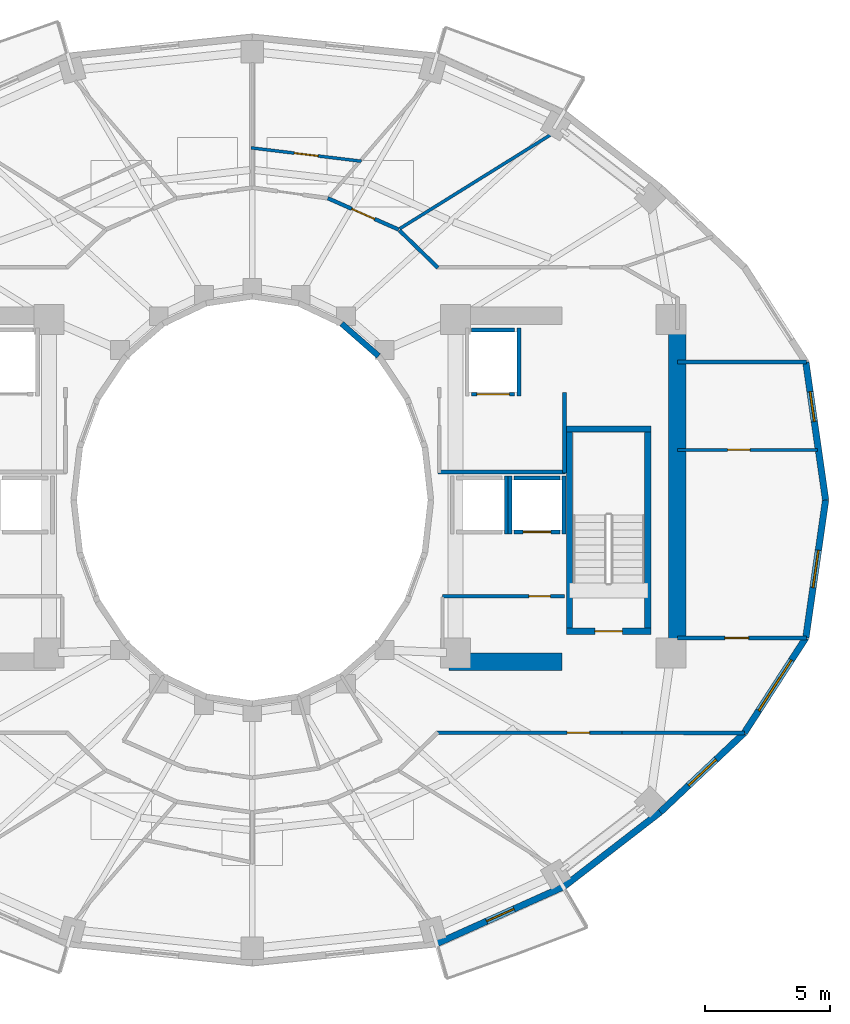
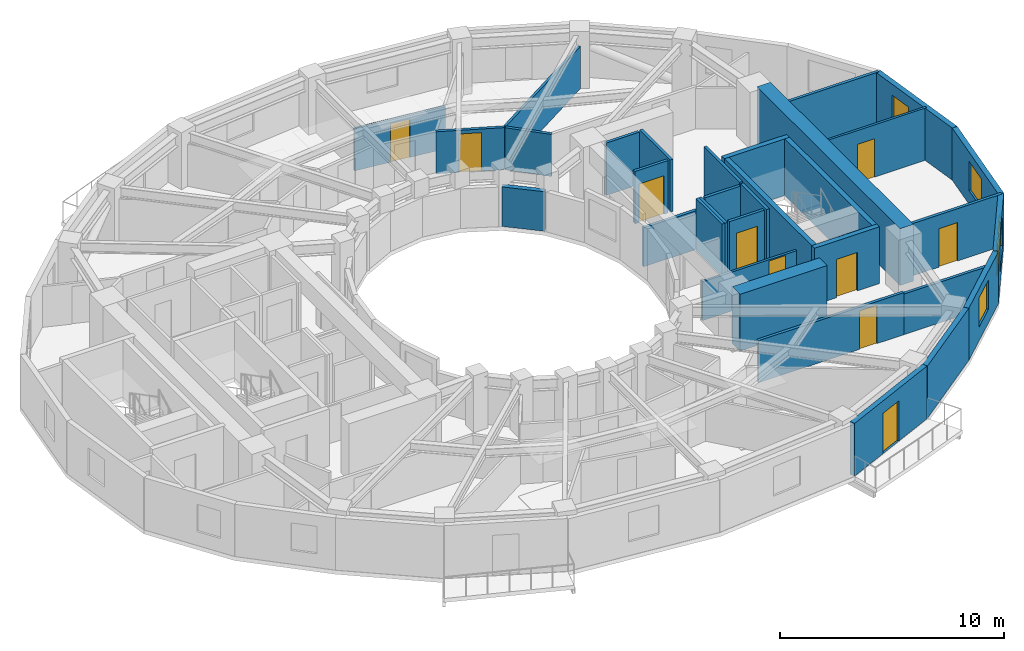
# One storey, part 6 of 10: 33 walls, 10 doors, 4 windows, 14 openings.
"""IFC4 building model written with IfcOpenShell, lengths in metres."""

from ifc_helpers import new_model, si_unit, direction, frame, frame_2d, origin, place, context, subcontext, project, spatial, rectangle, extrude, material, layer, layer_set, type_object, element, fill, save


model = new_model("IFC4")

# Units and contexts
model_context = context("Model", 3, precision=1e-05, world=origin(), true_north=direction((0.0, 1.0)))
body_context = subcontext(model_context, "Body", "Model", "MODEL_VIEW")
ifc_project = project(units=[si_unit("LENGTHUNIT", "METRE"), si_unit("AREAUNIT", "SQUARE_METRE"), si_unit("VOLUMEUNIT", "CUBIC_METRE"), si_unit("PLANEANGLEUNIT", "RADIAN"), si_unit("MASSUNIT", "GRAM", prefix="KILO")], contexts=[model_context])

# Site, building, storey
site_placement = place(None, origin())
site = spatial("IfcSite", under=ifc_project, at=site_placement, CompositionType="ELEMENT")
building_placement = place(site_placement, origin())
building = spatial("IfcBuilding", under=site, at=building_placement, Name="Solvane Sanctuary Tower", CompositionType="ELEMENT")
storey_placement = place(building_placement, frame((0.0, 0.0, 146.699951171875)))
storey = spatial("IfcBuildingStorey", under=building, at=storey_placement, Name="L44", CompositionType="ELEMENT", Elevation=146.699951171875)

# Walls
ifc_material_1 = material(Name="Concrete C60/75", Category="concrete")
ifc_layer_1 = layer(ifc_material_1, 0.699951171875, Name="Concrete C60/75")
ifc_layer_set_1 = layer_set([ifc_layer_1], Name="Concrete C60/75")
wall_type_1 = type_object("IfcWallType", Name="Wall W-CORE-700", PredefinedType="SHEAR", material=ifc_layer_set_1)
wall_1_placement = place(storey_placement, frame((48.949951171875, 17.050048828125, 0.0), z_axis=(0.0, 0.0, 1.0), x_axis=(0.0, 1.0, 0.0)))
element("IfcWall", 1, at=wall_1_placement, inside=storey, type_object=wall_type_1, Name="L44 Core Shear Wall EC-E", PredefinedType="SHEAR", context=body_context, shape_type="SweptSolid", body=[
    extrude(rectangle(XDim=12.800048828125, YDim=0.699951171875, at=frame_2d((6.39990234375, 0.0))), origin(), (0.0, 0.0, 1.0), 3.10009765625),
])
wall_2_placement = place(storey_placement, frame((39.85009765625, 16.550048828125, 0.0), z_axis=(0.0, 0.0, 1.0), x_axis=(1.0, 0.0, 0.0)))
element("IfcWall", 2, at=wall_2_placement, inside=storey, type_object=wall_type_1, Name="L44 Core Shear Wall EC-S", PredefinedType="SHEAR", context=body_context, shape_type="SweptSolid", body=[
    extrude(rectangle(XDim=4.5, YDim=0.699951171875, at=frame_2d((2.25, 0.0))), origin(), (0.0, 0.0, 1.0), 3.10009765625),
])
ifc_material_2 = material(Name="Acoustic Gypsum Partition Board")
ifc_layer_2 = layer(ifc_material_2, 0.14990234375, Name="Acoustic Gypsum Partition Board")
ifc_layer_set_2 = layer_set([ifc_layer_2], Name="Acoustic Gypsum Partition Board")
wall_type_2 = type_object("IfcWallType", Name="Wall W-CORR-150", PredefinedType="PARTITIONING", material=ifc_layer_set_2)
wall_3_placement = place(storey_placement, frame((39.39990234375, 24.1201171875, 0.0), z_axis=(0.0, 0.0, 1.0), x_axis=(1.0, 0.0, 0.0)))
element("IfcWall", 3, at=wall_3_placement, inside=storey, type_object=wall_type_2, Name="L44 East Firefighting Lobby South Wall", PredefinedType="PARTITIONING", context=body_context, shape_type="SweptSolid", body=[
    extrude(rectangle(XDim=5.080078125, YDim=0.14990234375, at=frame_2d((2.5400390625, 0.0))), origin(), (0.0, 0.0, 1.0), 2.1201171875),
])
wall_4_placement = place(storey_placement, frame((44.449951171875, 24.080078125, 0.0), z_axis=(0.0, 0.0, 1.0), x_axis=(0.0, 1.0, 0.0)))
element("IfcWall", 4, at=wall_4_placement, inside=storey, type_object=wall_type_2, Name="L44 East Firefighting Lobby East Wall", PredefinedType="PARTITIONING", context=body_context, shape_type="SweptSolid", body=[
    extrude(rectangle(XDim=3.199951171875, YDim=0.14990234375, at=frame_2d((1.60009765625, 0.0))), origin(), (0.0, 0.0, 1.0), 2.85498046875),
])

# Wall, opening, door
wall_5_placement = place(storey_placement, frame((48.949951171875, 17.4970703125, 0.0), z_axis=(0.0, 0.0, 1.0), x_axis=(1.0, 0.0, 0.0)))
wall_5 = element("IfcWall", 5, at=wall_5_placement, inside=storey, type_object=wall_type_2, Name="L44 East Shoulder South Wall", PredefinedType="PARTITIONING", context=body_context, shape_type="SweptSolid", body=[
    extrude(rectangle(XDim=5.14013671875, YDim=0.14990234375, at=frame_2d((2.570068359375, 0.0))), origin(), (0.0, 0.0, 1.0), 2.85498046875),
])
opening_1_placement = place(wall_5_placement, frame((1.888671875, 0.0, 0.0)))
opening_1 = element("IfcOpeningElement", 6, at=opening_1_placement, cuts=wall_5, Name="Opening D-L44-13", PredefinedType="OPENING", context=body_context, shape_type="SweptSolid", body=[
    extrude(rectangle(XDim=0.949951171875, YDim=2.10009765625, at=frame_2d((0.47509765625, 1.050048828125))), frame((0.0, 0.0849609375, 0.0), z_axis=(0.0, -1.0, 0.0), x_axis=(1.0, 0.0, 0.0)), (0.0, 0.0, 1.0), 0.169921875),
])
ifc_material_3 = material(Name="Engineered Tropical Hardwood", Category="wood")
door_type_1 = type_object("IfcDoorType", Name="Door D-ROOM-950", OperationType="NOTDEFINED", PredefinedType="DOOR", material=ifc_material_3)
door_1_placement = place(opening_1_placement, origin())
door_1 = element("IfcDoor", 7, at=door_1_placement, inside=storey, type_object=door_type_1, Name="L44 East Shoulder South Door", OperationType="SINGLE_SWING_RIGHT", OverallHeight=2.10009765625, OverallWidth=0.949951171875, PredefinedType="DOOR", context=body_context, shape_type="SweptSolid", body=[
    extrude(rectangle(XDim=0.949951171875, YDim=2.10009765625, at=frame_2d((0.47509765625, 1.050048828125))), frame((0.0, 0.02490234375, 0.0), z_axis=(0.0, -1.0, 0.0), x_axis=(1.0, 0.0, 0.0)), (0.0, 0.0, 1.0), 0.050048828125),
])
fill(opening_1, door_1)

# Walls
wall_6_placement = place(storey_placement, frame((48.949951171875, 28.5029296875, 0.0), z_axis=(0.0, 0.0, 1.0), x_axis=(1.0, 0.0, 0.0)))
element("IfcWall", 8, at=wall_6_placement, inside=storey, type_object=wall_type_2, Name="L44 East Shoulder North Wall", PredefinedType="PARTITIONING", context=body_context, shape_type="SweptSolid", body=[
    extrude(rectangle(XDim=5.14013671875, YDim=0.14990234375, at=frame_2d((2.570068359375, 0.0))), origin(), (0.0, 0.0, 1.0), 2.85498046875),
])
wall_7_placement = place(storey_placement, frame((37.867431640625, 33.748779296875, 0.0), z_axis=(0.0, 0.0, 1.0), x_axis=(0.717419568599, -0.696641344302, 0.0)))
element("IfcWall", 9, at=wall_7_placement, inside=storey, type_object=wall_type_2, Name="L44 NE Corner Throat Wall", PredefinedType="PARTITIONING", context=body_context, shape_type="SweptSolid", body=[
    extrude(rectangle(XDim=2.138427734375, YDim=0.14990234375, at=frame_2d((1.0693359375, 0.0))), origin(), (0.0, 0.0, 1.0), 2.299072265625),
])

# Wall, opening, door
wall_8_placement = place(storey_placement, frame((39.330078125, 13.719970703125, 0.0), z_axis=(0.0, 0.0, 1.0), x_axis=(1.0, 0.0, 0.0)))
wall_8 = element("IfcWall", 10, at=wall_8_placement, inside=storey, type_object=wall_type_2, Name="L44 SE Corner Corridor Wall", PredefinedType="PARTITIONING", context=body_context, shape_type="SweptSolid", body=[
    extrude(rectangle(XDim=7.52001953125, YDim=0.14990234375, at=frame_2d((3.760009765625, 0.0))), origin(), (0.0, 0.0, 1.0), 2.299072265625),
])
opening_2_placement = place(wall_8_placement, frame((5.219970703125, 0.0, 0.0)))
opening_2 = element("IfcOpeningElement", 11, at=opening_2_placement, cuts=wall_8, Name="Opening D-L44-22", PredefinedType="OPENING", context=body_context, shape_type="SweptSolid", body=[
    extrude(rectangle(XDim=0.89990234375, YDim=2.10009765625, at=frame_2d((0.449951171875, 1.050048828125))), frame((0.0, 0.0849609375, 0.0), z_axis=(0.0, -1.0, 0.0), x_axis=(1.0, 0.0, 0.0)), (0.0, 0.0, 1.0), 0.169921875),
])
door_type_2 = type_object("IfcDoorType", Name="Door D-WET-900", OperationType="NOTDEFINED", PredefinedType="DOOR", material=ifc_material_3)
door_2_placement = place(opening_2_placement, origin())
door_2 = element("IfcDoor", 12, at=door_2_placement, inside=storey, type_object=door_type_2, Name="L44 SE Corner Salon Door", OperationType="SINGLE_SWING_LEFT", OverallHeight=2.10009765625, OverallWidth=0.89990234375, PredefinedType="DOOR", context=body_context, shape_type="SweptSolid", body=[
    extrude(rectangle(XDim=0.89990234375, YDim=2.10009765625, at=frame_2d((0.449951171875, 1.050048828125))), frame((0.0, 0.02490234375, 0.0), z_axis=(0.0, -1.0, 0.0), x_axis=(1.0, 0.0, 0.0)), (0.0, 0.0, 1.0), 0.050048828125),
])
fill(opening_2, door_2)

# Wall
wall_9_placement = place(storey_placement, frame((46.75, 13.72021484375, 0.0), z_axis=(0.0, 0.0, 1.0), x_axis=(0.999997122315, -0.00239903348, 0.0)))
element("IfcWall", 13, at=wall_9_placement, inside=storey, type_object=wall_type_2, Name="L44 SE Corner Wing Wall", PredefinedType="PARTITIONING", context=body_context, shape_type="SweptSolid", body=[
    extrude(rectangle(XDim=4.884765625, YDim=0.14990234375, at=frame_2d((2.4423828125, 0.0))), origin(), (0.0, 0.0, 1.0), 2.219970703125),
])

# Wall, opening, door
wall_10_placement = place(storey_placement, frame((37.8349609375, 33.782958984375, 0.0), z_axis=(0.0, 0.0, 1.0), x_axis=(-0.91445214467, 0.404694051239, 0.0)))
wall_10 = element("IfcWall", 14, at=wall_10_placement, inside=storey, type_object=wall_type_2, Name="L44 Unit Corridor Wall N1", PredefinedType="PARTITIONING", context=body_context, shape_type="SweptSolid", body=[
    extrude(rectangle(XDim=3.090576171875, YDim=0.14990234375, at=frame_2d((1.54541015625, 0.0))), origin(), (0.0, 0.0, 1.0), 2.299072265625),
])
opening_3_placement = place(wall_10_placement, frame((1.04541015625, 0.0, 0.0)))
opening_3 = element("IfcOpeningElement", 15, at=opening_3_placement, cuts=wall_10, Name="Opening D-L44-25", PredefinedType="OPENING", context=body_context, shape_type="SweptSolid", body=[
    extrude(rectangle(XDim=1.0, YDim=2.10009765625, at=frame_2d((0.5, 1.050048828125))), frame((0.0, 0.0849609375, 0.0), z_axis=(0.0, -1.0, 0.0), x_axis=(1.0, 0.0, 0.0)), (0.0, 0.0, 1.0), 0.169921875),
])
door_type_3 = type_object("IfcDoorType", Name="Door D-UNIT", OperationType="NOTDEFINED", PredefinedType="DOOR", material=ifc_material_3)
door_3_placement = place(opening_3_placement, origin())
door_3 = element("IfcDoor", 16, at=door_3_placement, inside=storey, type_object=door_type_3, Name="L44 Unit Entrance Door N1", OperationType="SINGLE_SWING_RIGHT", OverallHeight=2.10009765625, OverallWidth=1.0, PredefinedType="DOOR", context=body_context, shape_type="SweptSolid", body=[
    extrude(rectangle(XDim=1.0, YDim=2.10009765625, at=frame_2d((0.5, 1.050048828125))), frame((0.0, 0.02490234375, 0.0), z_axis=(0.0, -1.0, 0.0), x_axis=(1.0, 0.0, 0.0)), (0.0, 0.0, 1.0), 0.050048828125),
])
fill(opening_3, door_3)

# Wall, opening, window
ifc_material_4 = material(Name="Precast concrete C40/50", Category="concrete")
ifc_layer_3 = layer(ifc_material_4, 0.260009765625, Name="Precast concrete C40/50")
ifc_layer_set_3 = layer_set([ifc_layer_3], Name="Precast concrete C40/50")
wall_type_3 = type_object("IfcWallType", Name="Wall W-EXT-250", PredefinedType="STANDARD", material=ifc_layer_set_3)
wall_11_placement = place(storey_placement, frame((54.860107421875, 23.0, 0.0), z_axis=(0.0, 0.0, 1.0), x_axis=(-0.142227632286, 0.989833976288, 0.0)))
wall_11 = element("IfcWall", 17, at=wall_11_placement, inside=storey, type_object=wall_type_3, Name="L44 Ceramic-Printed Facade Wall 00", PredefinedType="STANDARD", context=body_context, shape_type="SweptSolid", body=[
    extrude(rectangle(XDim=5.552978515625, YDim=0.260009765625, at=frame_2d((2.7763671875, 0.0))), origin(), (0.0, 0.0, 1.0), 2.85009765625),
])
opening_4_placement = place(wall_11_placement, frame((3.16162109375, 0.0, 0.75)))
opening_4 = element("IfcOpeningElement", 18, at=opening_4_placement, cuts=wall_11, Name="Opening WN-OPER-1200", PredefinedType="OPENING", context=body_context, shape_type="SweptSolid", body=[
    extrude(rectangle(XDim=1.199951171875, YDim=1.5, at=frame_2d((0.60009765625, 0.75))), frame((0.0, 0.139892578125, 0.0), z_axis=(0.0, -1.0, 0.0), x_axis=(1.0, 0.0, 0.0)), (0.0, 0.0, 1.0), 0.280029296875),
])
ifc_material_5 = material(Name="Dark Ceramic-Fritted Low-E Glass", Category="glass")
window_type_1 = type_object("IfcWindowType", Name="Window WN-OPER-1200", PartitioningType="SINGLE_PANEL", PredefinedType="WINDOW", material=ifc_material_5)
window_1_placement = place(opening_4_placement, origin())
window_1 = element("IfcWindow", 19, at=window_1_placement, inside=storey, type_object=window_type_1, Name="L44 Operable Facade Window 00", OverallHeight=1.5, OverallWidth=1.199951171875, PartitioningType="SINGLE_PANEL", PredefinedType="WINDOW", context=body_context, shape_type="SweptSolid", body=[
    extrude(rectangle(XDim=1.199951171875, YDim=1.5, at=frame_2d((0.60009765625, 0.75))), frame((0.0, 0.030029296875, 0.0), z_axis=(0.0, -1.0, 0.0), x_axis=(1.0, 0.0, 0.0)), (0.0, 0.0, 1.0), 0.06005859375),
])
fill(opening_4, window_1)

# Wall, opening, door
wall_12_placement = place(storey_placement, frame((39.365234375, 5.3154296875, 0.0), z_axis=(0.0, 0.0, 1.0), x_axis=(0.912353637112, 0.409403029847, 0.0)))
wall_12 = element("IfcWall", 20, at=wall_12_placement, inside=storey, type_object=wall_type_3, Name="L44 Balcony Facade Wall S2", PredefinedType="STANDARD", context=body_context, shape_type="SweptSolid", body=[
    extrude(rectangle(XDim=5.53271484375, YDim=0.260009765625, at=frame_2d((2.766357421875, 0.0))), origin(), (0.0, 0.0, 1.0), 2.880126953125),
])
opening_5_placement = place(wall_12_placement, frame((2.16650390625, 0.0, 0.0)))
opening_5 = element("IfcOpeningElement", 21, at=opening_5_placement, cuts=wall_12, Name="Opening D-L44-04", PredefinedType="OPENING", context=body_context, shape_type="SweptSolid", body=[
    extrude(rectangle(XDim=1.199951171875, YDim=2.199951171875, at=frame_2d((0.60009765625, 1.10009765625))), frame((0.0, 0.139892578125, 0.0), z_axis=(0.0, -1.0, 0.0), x_axis=(1.0, 0.0, 0.0)), (0.0, 0.0, 1.0), 0.280029296875),
])
ifc_material_6 = material(Name="Anodised Aluminium 6063-T6", Category="aluminium")
door_type_4 = type_object("IfcDoorType", Name="Door D-BALC-1200", OperationType="NOTDEFINED", PredefinedType="DOOR", material=ifc_material_6)
door_4_placement = place(opening_5_placement, origin())
door_4 = element("IfcDoor", 22, at=door_4_placement, inside=storey, type_object=door_type_4, Name="L44 Glazed Balcony Door S2", OperationType="SINGLE_SWING_LEFT", OverallHeight=2.199951171875, OverallWidth=1.199951171875, PredefinedType="DOOR", context=body_context, shape_type="SweptSolid", body=[
    extrude(rectangle(XDim=1.199951171875, YDim=2.199951171875, at=frame_2d((0.60009765625, 1.10009765625))), frame((0.0, 0.02490234375, 0.0), z_axis=(0.0, -1.0, 0.0), x_axis=(1.0, 0.0, 0.0)), (0.0, 0.0, 1.0), 0.050048828125),
])
fill(opening_5, door_4)

# Wall
wall_13_placement = place(storey_placement, frame((44.4130859375, 7.58056640625, 0.0), z_axis=(0.0, 0.0, 1.0), x_axis=(0.791460185804, 0.611220724687, 0.0)))
element("IfcWall", 23, at=wall_13_placement, inside=storey, type_object=wall_type_3, Name="L44 Ceramic-Printed Facade Wall 20", PredefinedType="STANDARD", context=body_context, shape_type="SweptSolid", body=[
    extrude(rectangle(XDim=4.872314453125, YDim=0.260009765625, at=frame_2d((2.43603515625, 0.0))), origin(), (0.0, 0.0, 1.0), 2.85009765625),
])

# Wall, opening, window
wall_14_placement = place(storey_placement, frame((48.269287109375, 10.55859375, 0.0), z_axis=(0.0, 0.0, 1.0), x_axis=(0.727667301037, 0.68593024354, 0.0)))
wall_14 = element("IfcWall", 24, at=wall_14_placement, inside=storey, type_object=wall_type_3, Name="L44 Ceramic-Printed Facade Wall 21", PredefinedType="STANDARD", context=body_context, shape_type="SweptSolid", body=[
    extrude(rectangle(XDim=4.603515625, YDim=0.260009765625, at=frame_2d((2.3017578125, 0.0))), origin(), (0.0, 0.0, 1.0), 2.85009765625),
])
opening_6_placement = place(wall_14_placement, frame((1.5517578125, 0.0, 0.75)))
opening_6 = element("IfcOpeningElement", 25, at=opening_6_placement, cuts=wall_14, Name="Opening WN-OPER-1500", PredefinedType="OPENING", context=body_context, shape_type="SweptSolid", body=[
    extrude(rectangle(XDim=1.5, YDim=1.60009765625, at=frame_2d((0.75, 0.800048828125))), frame((0.0, 0.139892578125, 0.0), z_axis=(0.0, -1.0, 0.0), x_axis=(1.0, 0.0, 0.0)), (0.0, 0.0, 1.0), 0.280029296875),
])
window_type_2 = type_object("IfcWindowType", Name="Window WN-OPER-1500", PartitioningType="SINGLE_PANEL", PredefinedType="WINDOW", material=ifc_material_5)
window_2_placement = place(opening_6_placement, origin())
window_2 = element("IfcWindow", 26, at=window_2_placement, inside=storey, type_object=window_type_2, Name="L44 Operable Facade Window 21", OverallHeight=1.60009765625, OverallWidth=1.5, PartitioningType="SINGLE_PANEL", PredefinedType="WINDOW", context=body_context, shape_type="SweptSolid", body=[
    extrude(rectangle(XDim=1.5, YDim=1.60009765625, at=frame_2d((0.75, 0.800048828125))), frame((0.0, 0.030029296875, 0.0), z_axis=(0.0, -1.0, 0.0), x_axis=(1.0, 0.0, 0.0)), (0.0, 0.0, 1.0), 0.06005859375),
])
fill(opening_6, window_2)

wall_15_placement = place(storey_placement, frame((51.619140625, 13.71630859375, 0.0), z_axis=(0.0, 0.0, 1.0), x_axis=(0.543358984534, 0.839500454989, 0.0)))
wall_15 = element("IfcWall", 27, at=wall_15_placement, inside=storey, type_object=wall_type_3, Name="L44 Ceramic-Printed Facade Wall 22", PredefinedType="STANDARD", context=body_context, shape_type="SweptSolid", body=[
    extrude(rectangle(XDim=4.51123046875, YDim=0.260009765625, at=frame_2d((2.255615234375, 0.0))), origin(), (0.0, 0.0, 1.0), 2.85009765625),
])
opening_7_placement = place(wall_15_placement, frame((1.0556640625, 0.0, 0.75)))
opening_7 = element("IfcOpeningElement", 28, at=opening_7_placement, cuts=wall_15, Name="Opening WN-RIB-2400", PredefinedType="OPENING", context=body_context, shape_type="SweptSolid", body=[
    extrude(rectangle(XDim=2.39990234375, YDim=1.699951171875, at=frame_2d((1.199951171875, 0.85009765625))), frame((0.0, 0.139892578125, 0.0), z_axis=(0.0, -1.0, 0.0), x_axis=(1.0, 0.0, 0.0)), (0.0, 0.0, 1.0), 0.280029296875),
])
window_type_3 = type_object("IfcWindowType", Name="Window WN-RIB-2400", PartitioningType="SINGLE_PANEL", PredefinedType="WINDOW", material=ifc_material_5)
window_3_placement = place(opening_7_placement, origin())
window_3 = element("IfcWindow", 29, at=window_3_placement, inside=storey, type_object=window_type_3, Name="L44 Operable Facade Window 22", OverallHeight=1.699951171875, OverallWidth=2.39990234375, PartitioningType="SINGLE_PANEL", PredefinedType="WINDOW", context=body_context, shape_type="SweptSolid", body=[
    extrude(rectangle(XDim=2.39990234375, YDim=1.699951171875, at=frame_2d((1.199951171875, 0.85009765625))), frame((0.0, 0.030029296875, 0.0), z_axis=(0.0, -1.0, 0.0), x_axis=(1.0, 0.0, 0.0)), (0.0, 0.0, 1.0), 0.06005859375),
])
fill(opening_7, window_3)

wall_16_placement = place(storey_placement, frame((54.0703125, 17.50341796875, 0.0), z_axis=(0.0, 0.0, 1.0), x_axis=(0.142227632286, 0.989833976288, 0.0)))
wall_16 = element("IfcWall", 30, at=wall_16_placement, inside=storey, type_object=wall_type_3, Name="L44 Ceramic-Printed Facade Wall 23", PredefinedType="STANDARD", context=body_context, shape_type="SweptSolid", body=[
    extrude(rectangle(XDim=5.552978515625, YDim=0.260009765625, at=frame_2d((2.7763671875, 0.0))), origin(), (0.0, 0.0, 1.0), 2.85009765625),
])
opening_8_placement = place(wall_16_placement, frame((2.026611328125, 0.0, 0.75)))
opening_8 = element("IfcOpeningElement", 31, at=opening_8_placement, cuts=wall_16, Name="Opening WN-OPER-1500", PredefinedType="OPENING", context=body_context, shape_type="SweptSolid", body=[
    extrude(rectangle(XDim=1.5, YDim=1.60009765625, at=frame_2d((0.75, 0.800048828125))), frame((0.0, 0.139892578125, 0.0), z_axis=(0.0, -1.0, 0.0), x_axis=(1.0, 0.0, 0.0)), (0.0, 0.0, 1.0), 0.280029296875),
])
window_4_placement = place(opening_8_placement, origin())
window_4 = element("IfcWindow", 32, at=window_4_placement, inside=storey, type_object=window_type_2, Name="L44 Operable Facade Window 23", OverallHeight=1.60009765625, OverallWidth=1.5, PartitioningType="SINGLE_PANEL", PredefinedType="WINDOW", context=body_context, shape_type="SweptSolid", body=[
    extrude(rectangle(XDim=1.5, YDim=1.60009765625, at=frame_2d((0.75, 0.800048828125))), frame((0.0, 0.030029296875, 0.0), z_axis=(0.0, -1.0, 0.0), x_axis=(1.0, 0.0, 0.0)), (0.0, 0.0, 1.0), 0.06005859375),
])
fill(opening_8, window_4)

# Wall
ifc_layer_4 = layer(ifc_material_4, 0.22998046875, Name="Precast concrete C40/50")
ifc_layer_set_4 = layer_set([ifc_layer_4], Name="Precast concrete C40/50")
wall_type_4 = type_object("IfcWallType", Name="Wall W-EXT-SP220", PredefinedType="STANDARD", material=ifc_layer_set_4)
wall_17_placement = place(storey_placement, frame((37.03466796875, 28.74169921875, 0.0), z_axis=(0.0, 0.0, 1.0), x_axis=(-0.752576694707, 0.658504607869, 0.0)))
element("IfcWall", 33, at=wall_17_placement, inside=storey, type_object=wall_type_4, Name="L44 Central Light-Well Wall 03", PredefinedType="STANDARD", context=body_context, shape_type="SweptSolid", body=[
    extrude(rectangle(XDim=1.95947265625, YDim=0.22998046875, at=frame_2d((0.979736328125, 0.0))), origin(), (0.0, 0.0, 1.0), 2.16015625),
])

# Wall, opening, door
ifc_layer_5 = layer(ifc_material_2, 0.1201171875, Name="Acoustic Gypsum Partition Board")
ifc_layer_set_5 = layer_set([ifc_layer_5], Name="Acoustic Gypsum Partition Board")
wall_type_5 = type_object("IfcWallType", Name="Wall W-MOV-100", PredefinedType="MOVABLE", material=ifc_layer_set_5)
wall_18_placement = place(storey_placement, frame((48.949951171875, 25.0, 0.0), z_axis=(0.0, 0.0, 1.0), x_axis=(1.0, 0.0, 0.0)))
wall_18 = element("IfcWall", 34, at=wall_18_placement, inside=storey, type_object=wall_type_5, Name="L44 East Suite Partition", PredefinedType="MOVABLE", context=body_context, shape_type="SweptSolid", body=[
    extrude(rectangle(XDim=5.5830078125, YDim=0.1201171875, at=frame_2d((2.79150390625, 0.0))), origin(), (0.0, 0.0, 1.0), 2.85498046875),
])
opening_9_placement = place(wall_18_placement, frame((2.0, 0.0, 0.0)))
opening_9 = element("IfcOpeningElement", 35, at=opening_9_placement, cuts=wall_18, Name="Opening D-L44-14", PredefinedType="OPENING", context=body_context, shape_type="SweptSolid", body=[
    extrude(rectangle(XDim=0.89990234375, YDim=2.10009765625, at=frame_2d((0.449951171875, 1.050048828125))), frame((0.0, 0.070068359375, 0.0), z_axis=(0.0, -1.0, 0.0), x_axis=(1.0, 0.0, 0.0)), (0.0, 0.0, 1.0), 0.14013671875),
])
door_5_placement = place(opening_9_placement, origin())
door_5 = element("IfcDoor", 36, at=door_5_placement, inside=storey, type_object=door_type_2, Name="L44 East Suite Internal Door", OperationType="SINGLE_SWING_LEFT", OverallHeight=2.10009765625, OverallWidth=0.89990234375, PredefinedType="DOOR", context=body_context, shape_type="SweptSolid", body=[
    extrude(rectangle(XDim=0.89990234375, YDim=2.10009765625, at=frame_2d((0.449951171875, 1.050048828125))), frame((0.0, 0.02490234375, 0.0), z_axis=(0.0, -1.0, 0.0), x_axis=(1.0, 0.0, 0.0)), (0.0, 0.0, 1.0), 0.050048828125),
])
fill(opening_9, door_5)

wall_19_placement = place(storey_placement, frame((36.347412109375, 36.50830078125, 0.0), z_axis=(0.0, 0.0, 1.0), x_axis=(-0.99272080673, 0.120438365503, 0.0)))
wall_19 = element("IfcWall", 37, at=wall_19_placement, inside=storey, type_object=wall_type_5, Name="L44 Suite Sitting Lounge Partition N2", PredefinedType="MOVABLE", context=body_context, shape_type="SweptSolid", body=[
    extrude(rectangle(XDim=4.42919921875, YDim=0.1201171875, at=frame_2d((2.214599609375, 0.0))), origin(), (0.0, 0.0, 1.0), 2.299072265625),
])
opening_10_placement = place(wall_19_placement, frame((1.73974609375, 0.0, 0.0)))
opening_10 = element("IfcOpeningElement", 38, at=opening_10_placement, cuts=wall_19, Name="Opening D-L44-26", PredefinedType="OPENING", context=body_context, shape_type="SweptSolid", body=[
    extrude(rectangle(XDim=0.949951171875, YDim=2.10009765625, at=frame_2d((0.47509765625, 1.050048828125))), frame((0.0, 0.070068359375, 0.0), z_axis=(0.0, -1.0, 0.0), x_axis=(1.0, 0.0, 0.0)), (0.0, 0.0, 1.0), 0.14013671875),
])
door_6_placement = place(opening_10_placement, origin())
door_6 = element("IfcDoor", 39, at=door_6_placement, inside=storey, type_object=door_type_1, Name="L44 Suite Sitting Lounge Door N2", OperationType="SINGLE_SWING_LEFT", OverallHeight=2.10009765625, OverallWidth=0.949951171875, PredefinedType="DOOR", context=body_context, shape_type="SweptSolid", body=[
    extrude(rectangle(XDim=0.949951171875, YDim=2.10009765625, at=frame_2d((0.47509765625, 1.050048828125))), frame((0.0, 0.02490234375, 0.0), z_axis=(0.0, -1.0, 0.0), x_axis=(1.0, 0.0, 0.0)), (0.0, 0.0, 1.0), 0.050048828125),
])
fill(opening_10, door_6)

ifc_layer_6 = layer(ifc_material_2, 0.125, Name="Acoustic Gypsum Partition Board")
ifc_layer_set_6 = layer_set([ifc_layer_6], Name="Acoustic Gypsum Partition Board")
wall_type_6 = type_object("IfcWallType", Name="Wall W-PART-125", PredefinedType="PARTITIONING", material=ifc_layer_set_6)
wall_20_placement = place(storey_placement, frame((39.580078125, 19.159912109375, 0.0), z_axis=(0.0, 0.0, 1.0), x_axis=(1.0, 0.0, 0.0)))
wall_20 = element("IfcWall", 40, at=wall_20_placement, inside=storey, type_object=wall_type_6, Name="L44 Reclaimed Room Partition PLE", PredefinedType="PARTITIONING", context=body_context, shape_type="SweptSolid", body=[
    extrude(rectangle(XDim=4.869873046875, YDim=0.125, at=frame_2d((2.43505859375, 0.0))), origin(), (0.0, 0.0, 1.0), 2.1201171875),
])
opening_11_placement = place(wall_20_placement, frame((3.449951171875, 0.0, 0.0)))
opening_11 = element("IfcOpeningElement", 41, at=opening_11_placement, cuts=wall_20, Name="Opening D-L44-11", PredefinedType="OPENING", context=body_context, shape_type="SweptSolid", body=[
    extrude(rectangle(XDim=0.85009765625, YDim=2.050048828125, at=frame_2d((0.425048828125, 1.02490234375))), frame((0.0, 0.072509765625, 0.0), z_axis=(0.0, -1.0, 0.0), x_axis=(1.0, 0.0, 0.0)), (0.0, 0.0, 1.0), 0.14501953125),
])
ifc_material_7 = material(Name="Architectural Stainless Steel 316", Category="steel")
door_type_5 = type_object("IfcDoorType", Name="Door D-RISER", OperationType="NOTDEFINED", PredefinedType="DOOR", material=ifc_material_7)
door_7_placement = place(opening_11_placement, origin())
door_7 = element("IfcDoor", 42, at=door_7_placement, inside=storey, type_object=door_type_5, Name="L44 Reclaimed Room Door PLE-1", OperationType="SINGLE_SWING_RIGHT", OverallHeight=2.050048828125, OverallWidth=0.85009765625, PredefinedType="DOOR", context=body_context, shape_type="SweptSolid", body=[
    extrude(rectangle(XDim=0.85009765625, YDim=2.050048828125, at=frame_2d((0.425048828125, 1.02490234375))), frame((0.0, 0.02490234375, 0.0), z_axis=(0.0, -1.0, 0.0), x_axis=(1.0, 0.0, 0.0)), (0.0, 0.0, 1.0), 0.050048828125),
])
fill(opening_11, door_7)

# Wall
wall_21_placement = place(storey_placement, frame((37.874755859375, 33.81640625, 0.0), z_axis=(0.0, 0.0, 1.0), x_axis=(0.849008457073, 0.528379257559, 0.0)))
element("IfcWall", 43, at=wall_21_placement, inside=storey, type_object=wall_type_6, Name="L44 Radial Compartment Wall 060", PredefinedType="PARTITIONING", context=body_context, shape_type="SweptSolid", body=[
    extrude(rectangle(XDim=7.076904296875, YDim=0.125, at=frame_2d((3.53857421875, 0.0))), origin(), (0.0, 0.0, 1.0), 2.299072265625),
])

# Wall, opening, door
ifc_material_8 = material(Name="Concrete C50/60", Category="concrete")
ifc_layer_7 = layer(ifc_material_8, 0.14990234375, Name="Concrete C50/60")
ifc_layer_set_7 = layer_set([ifc_layer_7], Name="Concrete C50/60")
wall_type_7 = type_object("IfcWallType", Name="Wall W-SHAFT-150", PredefinedType="SOLIDWALL", material=ifc_layer_set_7)
wall_22_placement = place(storey_placement, frame((42.43994140625, 21.719970703125, 0.0), z_axis=(0.0, 0.0, 1.0), x_axis=(1.0, 0.0, 0.0)))
wall_22 = element("IfcWall", 44, at=wall_22_placement, inside=storey, type_object=wall_type_7, Name="L44 PM-2 Lift Shaft Wall F", PredefinedType="SOLIDWALL", context=body_context, shape_type="SweptSolid", body=[
    extrude(rectangle(XDim=1.820068359375, YDim=0.14990234375, at=frame_2d((0.91015625, 0.0))), origin(), (0.0, 0.0, 1.0), 2.85498046875),
])
opening_12_placement = place(wall_22_placement, frame((0.360107421875, 0.0, 0.0)))
opening_12 = element("IfcOpeningElement", 45, at=opening_12_placement, cuts=wall_22, Name="Opening LD-L44-02", PredefinedType="OPENING", context=body_context, shape_type="SweptSolid", body=[
    extrude(rectangle(XDim=1.10009765625, YDim=2.10009765625, at=frame_2d((0.550048828125, 1.050048828125))), frame((0.0, 0.0849609375, 0.0), z_axis=(0.0, -1.0, 0.0), x_axis=(1.0, 0.0, 0.0)), (0.0, 0.0, 1.0), 0.169921875),
])
door_type_6 = type_object("IfcDoorType", Name="Door LD-PASS-1100", OperationType="NOTDEFINED", PredefinedType="DOOR", material=ifc_material_7)
door_8_placement = place(opening_12_placement, origin())
door_8 = element("IfcDoor", 46, at=door_8_placement, inside=storey, type_object=door_type_6, Name="L44 PM-2 Lift Landing Door", OperationType="DOUBLE_DOOR_SLIDING", OverallHeight=2.10009765625, OverallWidth=1.10009765625, PredefinedType="DOOR", context=body_context, shape_type="SweptSolid", body=[
    extrude(rectangle(XDim=1.10009765625, YDim=2.10009765625, at=frame_2d((0.550048828125, 1.050048828125))), frame((0.0, 0.02490234375, 0.0), z_axis=(0.0, -1.0, 0.0), x_axis=(1.0, 0.0, 0.0)), (0.0, 0.0, 1.0), 0.050048828125),
])
fill(opening_12, door_8)

# Walls
wall_23_placement = place(storey_placement, frame((42.43994140625, 23.8798828125, 0.0), z_axis=(0.0, 0.0, 1.0), x_axis=(1.0, 0.0, 0.0)))
element("IfcWall", 47, at=wall_23_placement, inside=storey, type_object=wall_type_7, Name="L44 PM-2 Lift Shaft Wall B", PredefinedType="SOLIDWALL", context=body_context, shape_type="SweptSolid", body=[
    extrude(rectangle(XDim=1.820068359375, YDim=0.14990234375, at=frame_2d((0.91015625, 0.0))), origin(), (0.0, 0.0, 1.0), 2.85498046875),
])
for number, where, z_axis, x_axis, name in (
    (48, (42.27001953125, 21.639892578125, 0.0), (0.0, 0.0, 1.0), (0.0, 1.0, 0.0), "L44 PM-2 Lift Shaft Wall S1"),
    (49, (44.429931640625, 21.639892578125, 0.0), (0.0, 0.0, 1.0), (0.0, 1.0, 0.0), "L44 PM-2 Lift Shaft Wall S2"),
    (50, (42.1298828125, 21.639892578125, 0.0), (0.0, 0.0, 1.0), (0.0, 1.0, 0.0), "L44 PH-2 Lift Shaft Wall S2"),
):
    element("IfcWall", number, at=place(storey_placement, frame(where, z_axis=z_axis, x_axis=x_axis)), inside=storey, type_object=wall_type_7, Name=name, PredefinedType="SOLIDWALL", context=body_context, shape_type="SweptSolid", body=[
        extrude(rectangle(XDim=2.320068359375, YDim=0.14990234375, at=frame_2d((1.16015625, 0.0))), origin(), (0.0, 0.0, 1.0), 2.85498046875),
    ])

# Wall, opening, door
wall_24_placement = place(storey_placement, frame((40.739990234375, 27.219970703125, 0.0), z_axis=(0.0, 0.0, 1.0), x_axis=(1.0, 0.0, 0.0)))
wall_24 = element("IfcWall", 51, at=wall_24_placement, inside=storey, type_object=wall_type_7, Name="L44 FFL-2 Lift Shaft Wall F", PredefinedType="SOLIDWALL", context=body_context, shape_type="SweptSolid", body=[
    extrude(rectangle(XDim=1.719970703125, YDim=0.14990234375, at=frame_2d((0.85986328125, 0.0))), origin(), (0.0, 0.0, 1.0), 2.85498046875),
])
opening_13_placement = place(wall_24_placement, frame((0.2099609375, 0.0, 0.0)))
opening_13 = element("IfcOpeningElement", 52, at=opening_13_placement, cuts=wall_24, Name="Opening LD-L44-05", PredefinedType="OPENING", context=body_context, shape_type="SweptSolid", body=[
    extrude(rectangle(XDim=1.300048828125, YDim=2.10009765625, at=frame_2d((0.64990234375, 1.050048828125))), frame((0.0, 0.0849609375, 0.0), z_axis=(0.0, -1.0, 0.0), x_axis=(1.0, 0.0, 0.0)), (0.0, 0.0, 1.0), 0.169921875),
])
door_type_7 = type_object("IfcDoorType", Name="Door LD-FFL-1300", OperationType="NOTDEFINED", PredefinedType="DOOR", material=ifc_material_7)
door_9_placement = place(opening_13_placement, origin())
door_9 = element("IfcDoor", 53, at=door_9_placement, inside=storey, type_object=door_type_7, Name="L44 FFL-2 Lift Landing Door", OperationType="DOUBLE_DOOR_SLIDING", OverallHeight=2.10009765625, OverallWidth=1.300048828125, PredefinedType="DOOR", context=body_context, shape_type="SweptSolid", body=[
    extrude(rectangle(XDim=1.300048828125, YDim=2.10009765625, at=frame_2d((0.64990234375, 1.050048828125))), frame((0.0, 0.02490234375, 0.0), z_axis=(0.0, -1.0, 0.0), x_axis=(1.0, 0.0, 0.0)), (0.0, 0.0, 1.0), 0.050048828125),
])
fill(opening_13, door_9)

# Walls
wall_25_placement = place(storey_placement, frame((40.739990234375, 29.780029296875, 0.0), z_axis=(0.0, 0.0, 1.0), x_axis=(1.0, 0.0, 0.0)))
element("IfcWall", 54, at=wall_25_placement, inside=storey, type_object=wall_type_7, Name="L44 FFL-2 Lift Shaft Wall B", PredefinedType="SOLIDWALL", context=body_context, shape_type="SweptSolid", body=[
    extrude(rectangle(XDim=1.719970703125, YDim=0.14990234375, at=frame_2d((0.85986328125, 0.0))), origin(), (0.0, 0.0, 1.0), 2.85498046875),
])
wall_26_placement = place(storey_placement, frame((42.6298828125, 27.139892578125, 0.0), z_axis=(0.0, 0.0, 1.0), x_axis=(0.0, 1.0, 0.0)))
element("IfcWall", 55, at=wall_26_placement, inside=storey, type_object=wall_type_7, Name="L44 FFL-2 Lift Shaft Wall S2", PredefinedType="SOLIDWALL", context=body_context, shape_type="SweptSolid", body=[
    extrude(rectangle(XDim=2.72021484375, YDim=0.14990234375, at=frame_2d((1.360107421875, 0.0))), origin(), (0.0, 0.0, 1.0), 2.85498046875),
])

# Wall, opening, door
ifc_layer_8 = layer(ifc_material_8, 0.25, Name="Concrete C50/60")
ifc_layer_set_8 = layer_set([ifc_layer_8], Name="Concrete C50/60")
wall_type_8 = type_object("IfcWallType", Name="Wall W-SHAFT-250", PredefinedType="SOLIDWALL", material=ifc_layer_set_8)
wall_27_placement = place(storey_placement, frame((44.52490234375, 17.77001953125, 0.0), z_axis=(0.0, 0.0, 1.0), x_axis=(1.0, 0.0, 0.0)))
wall_27 = element("IfcWall", 56, at=wall_27_placement, inside=storey, type_object=wall_type_8, Name="L44 ST-2 Load-Bearing Shaft Wall S", PredefinedType="SOLIDWALL", context=body_context, shape_type="SweptSolid", body=[
    extrude(rectangle(XDim=3.3701171875, YDim=0.25, at=frame_2d((1.68505859375, 0.0))), origin(), (0.0, 0.0, 1.0), 3.10009765625),
])
opening_14_placement = place(wall_27_placement, frame((1.135009765625, 0.0, 0.0)))
opening_14 = element("IfcOpeningElement", 57, at=opening_14_placement, cuts=wall_27, Name="Opening D-L44-06", PredefinedType="OPENING", context=body_context, shape_type="SweptSolid", body=[
    extrude(rectangle(XDim=1.10009765625, YDim=2.10009765625, at=frame_2d((0.550048828125, 1.050048828125))), frame((0.0, 0.135009765625, 0.0), z_axis=(0.0, -1.0, 0.0), x_axis=(1.0, 0.0, 0.0)), (0.0, 0.0, 1.0), 0.27001953125),
])
door_type_8 = type_object("IfcDoorType", Name="Door D-STAIR", OperationType="NOTDEFINED", PredefinedType="DOOR", material=ifc_material_7)
door_10_placement = place(opening_14_placement, origin())
door_10 = element("IfcDoor", 58, at=door_10_placement, inside=storey, type_object=door_type_8, Name="L44 ST-2 Exit Stair Fire Door", OperationType="SINGLE_SWING_LEFT", OverallHeight=2.10009765625, OverallWidth=1.10009765625, PredefinedType="DOOR", context=body_context, shape_type="SweptSolid", body=[
    extrude(rectangle(XDim=1.10009765625, YDim=2.10009765625, at=frame_2d((0.550048828125, 1.050048828125))), frame((0.0, 0.02490234375, 0.0), z_axis=(0.0, -1.0, 0.0), x_axis=(1.0, 0.0, 0.0)), (0.0, 0.0, 1.0), 0.050048828125),
])
fill(opening_14, door_10)

# Walls
wall_28_placement = place(storey_placement, frame((44.52490234375, 25.830078125, 0.0), z_axis=(0.0, 0.0, 1.0), x_axis=(1.0, 0.0, 0.0)))
element("IfcWall", 59, at=wall_28_placement, inside=storey, type_object=wall_type_8, Name="L44 ST-2 Load-Bearing Shaft Wall N", PredefinedType="SOLIDWALL", context=body_context, shape_type="SweptSolid", body=[
    extrude(rectangle(XDim=3.3701171875, YDim=0.25, at=frame_2d((1.68505859375, 0.0))), origin(), (0.0, 0.0, 1.0), 3.10009765625),
])
for number, where, z_axis, x_axis, name in (
    (60, (44.64990234375, 17.89501953125, 0.0), (0.0, 0.0, 1.0), (0.0, 1.0, 0.0), "L44 ST-2 Load-Bearing Shaft Wall W"),
    (61, (47.77001953125, 17.89501953125, 0.0), (0.0, 0.0, 1.0), (0.0, 1.0, 0.0), "L44 ST-2 Load-Bearing Shaft Wall E"),
):
    element("IfcWall", number, at=place(storey_placement, frame(where, z_axis=z_axis, x_axis=x_axis)), inside=storey, type_object=wall_type_8, Name=name, PredefinedType="SOLIDWALL", context=body_context, shape_type="SweptSolid", body=[
        extrude(rectangle(XDim=7.81005859375, YDim=0.25, at=frame_2d((3.905029296875, 0.0))), origin(), (0.0, 0.0, 1.0), 3.10009765625),
    ])

save(model, "model.ifc")
